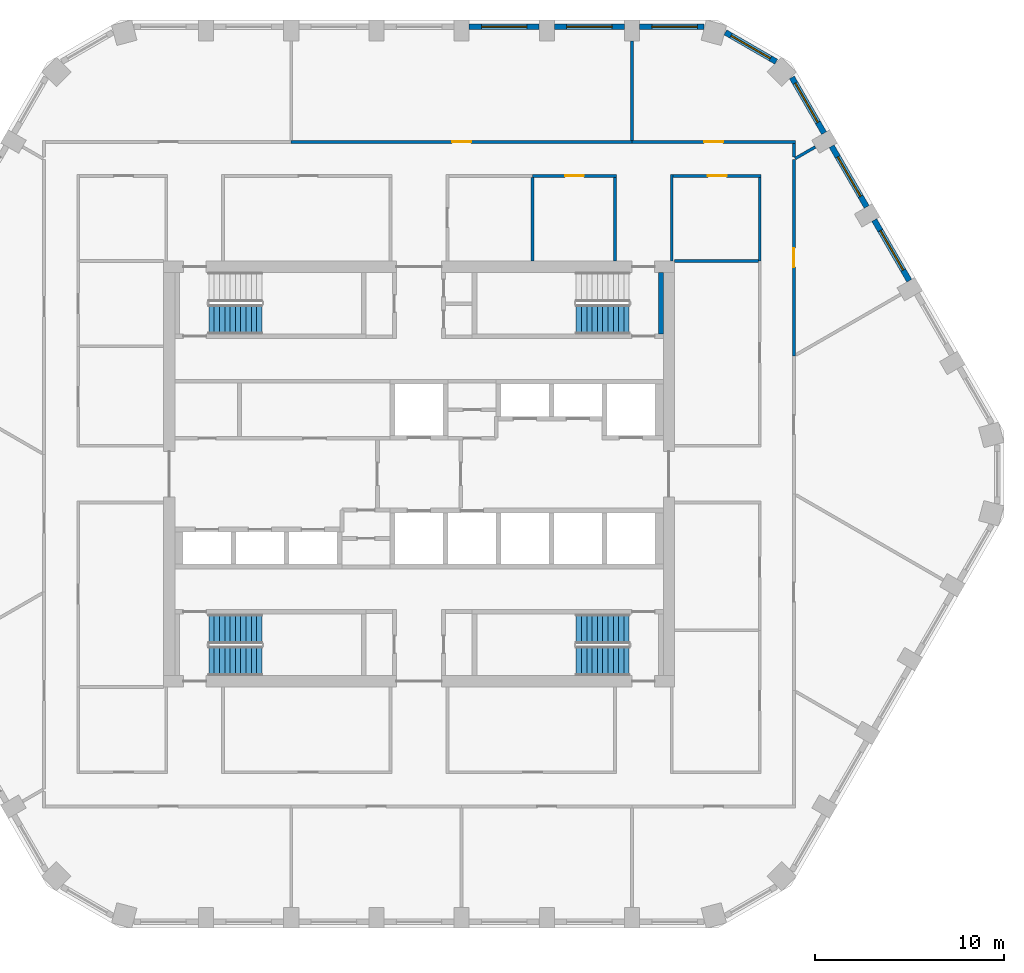
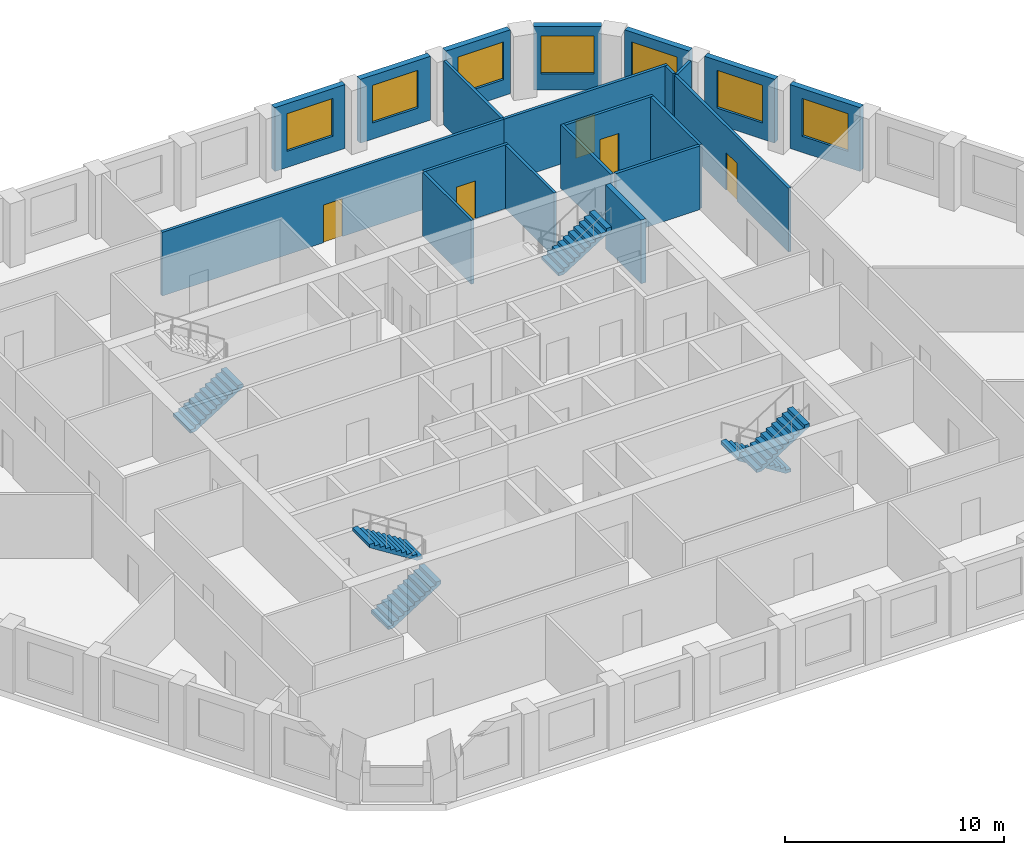
# One storey, part 7 of 9: 21 walls, 7 windows, 6 stair flights, 5 doors, 12 openings, 4 elements without a shape of their own.
"""IFC4 building model written with IfcOpenShell, lengths in metres."""

from ifc_helpers import new_model, si_unit, direction, frame, frame_2d, origin, place, context, subcontext, project, spatial, polyline, rectangle, outline, extrude, material, layer, layer_set, type_object, element, fill, aggregate, save


model = new_model("IFC4")

# Units and contexts
model_context = context("Model", 3, precision=1e-05, world=origin(), true_north=direction((0.0, 1.0)))
body_context = subcontext(model_context, "Body", "Model", "MODEL_VIEW")
ifc_project = project(units=[si_unit("LENGTHUNIT", "METRE"), si_unit("AREAUNIT", "SQUARE_METRE"), si_unit("VOLUMEUNIT", "CUBIC_METRE"), si_unit("PLANEANGLEUNIT", "RADIAN"), si_unit("MASSUNIT", "GRAM", prefix="KILO")], contexts=[model_context])

# Site, building, storey
site_placement = place(None, origin())
site = spatial("IfcSite", under=ifc_project, at=site_placement, CompositionType="ELEMENT")
building_placement = place(site_placement, origin())
building = spatial("IfcBuilding", under=site, at=building_placement, Name="Dhurran Vertical Campus", CompositionType="ELEMENT")
storey_placement = place(building_placement, frame((0.0, 0.0, 195.60009765625)))
storey = spatial("IfcBuildingStorey", under=building, at=storey_placement, Name="L48", CompositionType="ELEMENT", Elevation=195.60009765625)

# Wall, opening, window
ifc_material_1 = material(Name="Precast concrete C50/60", Category="concrete")
ifc_layer_1 = layer(ifc_material_1, 0.300048828125)
ifc_layer_set_1 = layer_set([ifc_layer_1], Name="Precast concrete C50/60")
wall_type_1 = type_object("IfcWallType", Name="Precast spandrel wall 300", PredefinedType="SOLIDWALL", material=ifc_layer_set_1)
wall_1_placement = place(storey_placement, frame((25.893798828125, 10.216064453125, 0.0), z_axis=(0.0, 0.0, 1.0), x_axis=(-0.500029062817, 0.866008623709, 0.0)))
wall_1 = element("IfcWall", 1, at=wall_1_placement, inside=storey, type_object=wall_type_1, Name="EW1 L48.16", PredefinedType="SOLIDWALL", context=body_context, shape_type="SweptSolid", body=[
    extrude(rectangle(XDim=3.698974609375, YDim=0.300048828125, at=frame_2d((1.849609375, 0.0))), origin(), (0.0, 0.0, 1.0), 3.5498046875),
])
opening_1_placement = place(wall_1_placement, frame((0.6494140625, 0.0, 0.89990234375)))
opening_1 = element("IfcOpeningElement", 2, at=opening_1_placement, cuts=wall_1, Name="Opening WT1", PredefinedType="OPENING", context=body_context, shape_type="SweptSolid", body=[
    extrude(rectangle(XDim=2.39990234375, YDim=2.10009765625, at=frame_2d((1.199951171875, 1.050048828125))), frame((0.0, 0.159912109375, 0.0), z_axis=(0.0, -1.0, 0.0), x_axis=(1.0, 0.0, 0.0)), (0.0, 0.0, 1.0), 0.320068359375),
])
ifc_material_2 = material(Name="Aluminium frame with solar-control glass", Category="aluminium")
window_type = type_object("IfcWindowType", Name="Punched window 2400 x 2100", PartitioningType="SINGLE_PANEL", PredefinedType="WINDOW", material=ifc_material_2)
window_1_placement = place(opening_1_placement, origin())
window_1 = element("IfcWindow", 3, at=window_1_placement, inside=storey, type_object=window_type, Name="WT1 L48.16", OverallHeight=2.10009765625, OverallWidth=2.39990234375, PartitioningType="SINGLE_PANEL", PredefinedType="WINDOW", context=body_context, shape_type="SweptSolid", body=[
    extrude(rectangle(XDim=2.39990234375, YDim=2.10009765625, at=frame_2d((1.199951171875, 1.050048828125))), frame((0.0, 0.030029296875, 0.0), z_axis=(0.0, -1.0, 0.0), x_axis=(1.0, 0.0, 0.0)), (0.0, 0.0, 1.0), 0.06005859375),
])
fill(opening_1, window_1)

wall_2_placement = place(storey_placement, frame((23.643798828125, 14.11328125, 0.0), z_axis=(0.0, 0.0, 1.0), x_axis=(-0.500029062817, 0.866008623709, 0.0)))
wall_2 = element("IfcWall", 4, at=wall_2_placement, inside=storey, type_object=wall_type_1, Name="EW1 L48.17", PredefinedType="SOLIDWALL", context=body_context, shape_type="SweptSolid", body=[
    extrude(rectangle(XDim=3.698974609375, YDim=0.300048828125, at=frame_2d((1.849609375, 0.0))), origin(), (0.0, 0.0, 1.0), 3.5498046875),
])
opening_2_placement = place(wall_2_placement, frame((0.6494140625, 0.0, 0.89990234375)))
opening_2 = element("IfcOpeningElement", 5, at=opening_2_placement, cuts=wall_2, Name="Opening WT1", PredefinedType="OPENING", context=body_context, shape_type="SweptSolid", body=[
    extrude(rectangle(XDim=2.39990234375, YDim=2.10009765625, at=frame_2d((1.199951171875, 1.050048828125))), frame((0.0, 0.159912109375, 0.0), z_axis=(0.0, -1.0, 0.0), x_axis=(1.0, 0.0, 0.0)), (0.0, 0.0, 1.0), 0.320068359375),
])
window_2_placement = place(opening_2_placement, origin())
window_2 = element("IfcWindow", 6, at=window_2_placement, inside=storey, type_object=window_type, Name="WT1 L48.17", OverallHeight=2.10009765625, OverallWidth=2.39990234375, PartitioningType="SINGLE_PANEL", PredefinedType="WINDOW", context=body_context, shape_type="SweptSolid", body=[
    extrude(rectangle(XDim=2.39990234375, YDim=2.10009765625, at=frame_2d((1.199951171875, 1.050048828125))), frame((0.0, 0.030029296875, 0.0), z_axis=(0.0, -1.0, 0.0), x_axis=(1.0, 0.0, 0.0)), (0.0, 0.0, 1.0), 0.06005859375),
])
fill(opening_2, window_2)

wall_3_placement = place(storey_placement, frame((21.393798828125, 18.01025390625, 0.0), z_axis=(0.0, 0.0, 1.0), x_axis=(-0.500012868213, 0.866017974191, 0.0)))
wall_3 = element("IfcWall", 7, at=wall_3_placement, inside=storey, type_object=wall_type_1, Name="EW1 L48.18", PredefinedType="SOLIDWALL", context=body_context, shape_type="SweptSolid", body=[
    extrude(rectangle(XDim=3.39599609375, YDim=0.300048828125, at=frame_2d((1.697998046875, 0.0))), origin(), (0.0, 0.0, 1.0), 3.5498046875),
])
opening_3_placement = place(wall_3_placement, frame((0.6494140625, 0.0, 0.89990234375)))
opening_3 = element("IfcOpeningElement", 8, at=opening_3_placement, cuts=wall_3, Name="Opening WT1", PredefinedType="OPENING", context=body_context, shape_type="SweptSolid", body=[
    extrude(rectangle(XDim=2.39990234375, YDim=2.10009765625, at=frame_2d((1.199951171875, 1.050048828125))), frame((0.0, 0.159912109375, 0.0), z_axis=(0.0, -1.0, 0.0), x_axis=(1.0, 0.0, 0.0)), (0.0, 0.0, 1.0), 0.320068359375),
])
window_3_placement = place(opening_3_placement, origin())
window_3 = element("IfcWindow", 9, at=window_3_placement, inside=storey, type_object=window_type, Name="WT1 L48.18", OverallHeight=2.10009765625, OverallWidth=2.39990234375, PartitioningType="SINGLE_PANEL", PredefinedType="WINDOW", context=body_context, shape_type="SweptSolid", body=[
    extrude(rectangle(XDim=2.39990234375, YDim=2.10009765625, at=frame_2d((1.199951171875, 1.050048828125))), frame((0.0, 0.030029296875, 0.0), z_axis=(0.0, -1.0, 0.0), x_axis=(1.0, 0.0, 0.0)), (0.0, 0.0, 1.0), 0.06005859375),
])
fill(opening_3, window_3)

wall_4_placement = place(storey_placement, frame((18.86279296875, 21.7841796875, 0.0), z_axis=(0.0, 0.0, 1.0), x_axis=(-0.865994975416, 0.500052699777, 0.0)))
wall_4 = element("IfcWall", 10, at=wall_4_placement, inside=storey, type_object=wall_type_1, Name="EW1 L48.19", PredefinedType="SOLIDWALL", context=body_context, shape_type="SweptSolid", body=[
    extrude(rectangle(XDim=3.093017578125, YDim=0.300048828125, at=frame_2d((1.54638671875, 0.0))), origin(), (0.0, 0.0, 1.0), 3.5498046875),
])
opening_4_placement = place(wall_4_placement, frame((0.34619140625, 0.0, 0.89990234375)))
opening_4 = element("IfcOpeningElement", 11, at=opening_4_placement, cuts=wall_4, Name="Opening WT1", PredefinedType="OPENING", context=body_context, shape_type="SweptSolid", body=[
    extrude(rectangle(XDim=2.39990234375, YDim=2.10009765625, at=frame_2d((1.199951171875, 1.050048828125))), frame((0.0, 0.159912109375, 0.0), z_axis=(0.0, -1.0, 0.0), x_axis=(1.0, 0.0, 0.0)), (0.0, 0.0, 1.0), 0.320068359375),
])
window_4_placement = place(opening_4_placement, origin())
window_4 = element("IfcWindow", 12, at=window_4_placement, inside=storey, type_object=window_type, Name="WT1 L48.19", OverallHeight=2.10009765625, OverallWidth=2.39990234375, PartitioningType="SINGLE_PANEL", PredefinedType="WINDOW", context=body_context, shape_type="SweptSolid", body=[
    extrude(rectangle(XDim=2.39990234375, YDim=2.10009765625, at=frame_2d((1.199951171875, 1.050048828125))), frame((0.0, 0.030029296875, 0.0), z_axis=(0.0, -1.0, 0.0), x_axis=(1.0, 0.0, 0.0)), (0.0, 0.0, 1.0), 0.06005859375),
])
fill(opening_4, window_4)

wall_5_placement = place(storey_placement, frame((15.04638671875, 23.635498046875, 0.0), z_axis=(0.0, 0.0, 1.0), x_axis=(-1.0, 0.0, 0.0)))
wall_5 = element("IfcWall", 13, at=wall_5_placement, inside=storey, type_object=wall_type_1, Name="EW1 L48.20", PredefinedType="SOLIDWALL", context=body_context, shape_type="SweptSolid", body=[
    extrude(rectangle(XDim=3.39599609375, YDim=0.300048828125, at=frame_2d((1.697998046875, 0.0))), origin(), (0.0, 0.0, 1.0), 3.5498046875),
])
opening_5_placement = place(wall_5_placement, frame((0.34619140625, 0.0, 0.89990234375)))
opening_5 = element("IfcOpeningElement", 14, at=opening_5_placement, cuts=wall_5, Name="Opening WT1", PredefinedType="OPENING", context=body_context, shape_type="SweptSolid", body=[
    extrude(rectangle(XDim=2.39990234375, YDim=2.10009765625, at=frame_2d((1.199951171875, 1.050048828125))), frame((0.0, 0.159912109375, 0.0), z_axis=(0.0, -1.0, 0.0), x_axis=(1.0, 0.0, 0.0)), (0.0, 0.0, 1.0), 0.320068359375),
])
window_5_placement = place(opening_5_placement, origin())
window_5 = element("IfcWindow", 15, at=window_5_placement, inside=storey, type_object=window_type, Name="WT1 L48.20", OverallHeight=2.10009765625, OverallWidth=2.39990234375, PartitioningType="SINGLE_PANEL", PredefinedType="WINDOW", context=body_context, shape_type="SweptSolid", body=[
    extrude(rectangle(XDim=2.39990234375, YDim=2.10009765625, at=frame_2d((1.199951171875, 1.050048828125))), frame((0.0, 0.030029296875, 0.0), z_axis=(0.0, -1.0, 0.0), x_axis=(1.0, 0.0, 0.0)), (0.0, 0.0, 1.0), 0.06005859375),
])
fill(opening_5, window_5)

wall_6_placement = place(storey_placement, frame((10.849609375, 23.635498046875, 0.0), z_axis=(0.0, 0.0, 1.0), x_axis=(-1.0, 0.0, 0.0)))
wall_6 = element("IfcWall", 16, at=wall_6_placement, inside=storey, type_object=wall_type_1, Name="EW1 L48.21", PredefinedType="SOLIDWALL", context=body_context, shape_type="SweptSolid", body=[
    extrude(rectangle(XDim=3.69921875, YDim=0.300048828125, at=frame_2d((1.849609375, 0.0))), origin(), (0.0, 0.0, 1.0), 3.5498046875),
])
opening_6_placement = place(wall_6_placement, frame((0.6494140625, 0.0, 0.89990234375)))
opening_6 = element("IfcOpeningElement", 17, at=opening_6_placement, cuts=wall_6, Name="Opening WT1", PredefinedType="OPENING", context=body_context, shape_type="SweptSolid", body=[
    extrude(rectangle(XDim=2.39990234375, YDim=2.10009765625, at=frame_2d((1.199951171875, 1.050048828125))), frame((0.0, 0.159912109375, 0.0), z_axis=(0.0, -1.0, 0.0), x_axis=(1.0, 0.0, 0.0)), (0.0, 0.0, 1.0), 0.320068359375),
])
window_6_placement = place(opening_6_placement, origin())
window_6 = element("IfcWindow", 18, at=window_6_placement, inside=storey, type_object=window_type, Name="WT1 L48.21", OverallHeight=2.10009765625, OverallWidth=2.39990234375, PartitioningType="SINGLE_PANEL", PredefinedType="WINDOW", context=body_context, shape_type="SweptSolid", body=[
    extrude(rectangle(XDim=2.39990234375, YDim=2.10009765625, at=frame_2d((1.199951171875, 1.050048828125))), frame((0.0, 0.030029296875, 0.0), z_axis=(0.0, -1.0, 0.0), x_axis=(1.0, 0.0, 0.0)), (0.0, 0.0, 1.0), 0.06005859375),
])
fill(opening_6, window_6)

wall_7_placement = place(storey_placement, frame((6.349609375, 23.635498046875, 0.0), z_axis=(0.0, 0.0, 1.0), x_axis=(-1.0, 0.0, 0.0)))
wall_7 = element("IfcWall", 19, at=wall_7_placement, inside=storey, type_object=wall_type_1, Name="EW1 L48.22", PredefinedType="SOLIDWALL", context=body_context, shape_type="SweptSolid", body=[
    extrude(rectangle(XDim=3.69921875, YDim=0.300048828125, at=frame_2d((1.849609375, 0.0))), origin(), (0.0, 0.0, 1.0), 3.5498046875),
])
opening_7_placement = place(wall_7_placement, frame((0.6494140625, 0.0, 0.89990234375)))
opening_7 = element("IfcOpeningElement", 20, at=opening_7_placement, cuts=wall_7, Name="Opening WT1", PredefinedType="OPENING", context=body_context, shape_type="SweptSolid", body=[
    extrude(rectangle(XDim=2.39990234375, YDim=2.10009765625, at=frame_2d((1.199951171875, 1.050048828125))), frame((0.0, 0.159912109375, 0.0), z_axis=(0.0, -1.0, 0.0), x_axis=(1.0, 0.0, 0.0)), (0.0, 0.0, 1.0), 0.320068359375),
])
window_7_placement = place(opening_7_placement, origin())
window_7 = element("IfcWindow", 21, at=window_7_placement, inside=storey, type_object=window_type, Name="WT1 L48.22", OverallHeight=2.10009765625, OverallWidth=2.39990234375, PartitioningType="SINGLE_PANEL", PredefinedType="WINDOW", context=body_context, shape_type="SweptSolid", body=[
    extrude(rectangle(XDim=2.39990234375, YDim=2.10009765625, at=frame_2d((1.199951171875, 1.050048828125))), frame((0.0, 0.030029296875, 0.0), z_axis=(0.0, -1.0, 0.0), x_axis=(1.0, 0.0, 0.0)), (0.0, 0.0, 1.0), 0.06005859375),
])
fill(opening_7, window_7)

# Wall
ifc_material_3 = material(Name="Concrete C40/50", Category="concrete")
ifc_layer_2 = layer(ifc_material_3, 0.25)
ifc_layer_set_2 = layer_set([ifc_layer_2], Name="Concrete C40/50")
wall_type_2 = type_object("IfcWallType", Name="co-STAIR-WALL-250", PredefinedType="SHEAR", material=ifc_layer_set_2)
wall_8_placement = place(storey_placement, frame((12.77490234375, 7.39990234375, 0.0), z_axis=(0.0, 0.0, 1.0), x_axis=(0.0, 1.0, 0.0)))
element("IfcWall", 22, at=wall_8_placement, inside=storey, type_object=wall_type_2, Name="Stair ST2 enclosure wall L48", PredefinedType="SHEAR", context=body_context, shape_type="SweptSolid", body=[
    extrude(rectangle(XDim=3.25, YDim=0.25, at=frame_2d((1.625, 0.0))), origin(), (0.0, 0.0, 1.0), 3.5498046875),
])

# Wall, opening, door
ifc_material_4 = material(Name="Gypsum board corridor wall on steel studs", Category="steel")
ifc_layer_3 = layer(ifc_material_4, 0.14990234375)
ifc_layer_set_3 = layer_set([ifc_layer_3], Name="Gypsum board corridor wall on steel studs")
wall_type_3 = type_object("IfcWallType", Name="fl-CW-150 corridor wall", PredefinedType="PARTITIONING", material=ifc_layer_set_3)
wall_9_placement = place(storey_placement, frame((11.25, 17.550048828125, 0.0), z_axis=(0.0, 0.0, 1.0), x_axis=(-1.0, 0.0, 0.0)))
wall_9 = element("IfcWall", 23, at=wall_9_placement, inside=storey, type_object=wall_type_3, Name="Partition 48-33", PredefinedType="PARTITIONING", context=body_context, shape_type="SweptSolid", body=[
    extrude(rectangle(XDim=18.0, YDim=0.14990234375, at=frame_2d((9.0, 0.0))), origin(), (0.0, 0.0, 1.0), 3.5498046875),
])
opening_8_placement = place(wall_9_placement, frame((8.5, 0.0, 0.0)))
opening_8 = element("IfcOpeningElement", 24, at=opening_8_placement, cuts=wall_9, Name="Opening T14.14", PredefinedType="OPENING", context=body_context, shape_type="SweptSolid", body=[
    extrude(rectangle(XDim=1.0, YDim=2.10009765625, at=frame_2d((0.5, 1.050048828125))), frame((0.0, 0.0849609375, 0.0), z_axis=(0.0, -1.0, 0.0), x_axis=(1.0, 0.0, 0.0)), (0.0, 0.0, 1.0), 0.169921875),
])
ifc_material_5 = material(Name="Solid-core timber door set, fire-rated", Category="wood")
door_type = type_object("IfcDoorType", Name="fl-D-1000x2100", OperationType="SINGLE_SWING_LEFT", PredefinedType="DOOR", material=ifc_material_5)
door_1_placement = place(opening_8_placement, origin())
door_1 = element("IfcDoor", 25, at=door_1_placement, inside=storey, type_object=door_type, Name="Door 48.14", OperationType="SINGLE_SWING_RIGHT", OverallHeight=2.10009765625, OverallWidth=1.0, PredefinedType="DOOR", context=body_context, shape_type="SweptSolid", body=[
    extrude(rectangle(XDim=1.0, YDim=2.10009765625, at=frame_2d((0.5, 1.050048828125))), frame((0.0, 0.02490234375, 0.0), z_axis=(0.0, -1.0, 0.0), x_axis=(1.0, 0.0, 0.0)), (0.0, 0.0, 1.0), 0.050048828125),
])
fill(opening_8, door_1)

wall_10_placement = place(storey_placement, frame((6.0, 15.75, 0.0), z_axis=(0.0, 0.0, 1.0), x_axis=(1.0, 0.0, 0.0)))
wall_10 = element("IfcWall", 26, at=wall_10_placement, inside=storey, type_object=wall_type_3, Name="Partition 48-43", PredefinedType="PARTITIONING", context=body_context, shape_type="SweptSolid", body=[
    extrude(rectangle(XDim=4.425048828125, YDim=0.14990234375, at=frame_2d((2.21240234375, 0.0))), origin(), (0.0, 0.0, 1.0), 3.5498046875),
])
opening_9_placement = place(wall_10_placement, frame((1.71240234375, 0.0, 0.0)))
opening_9 = element("IfcOpeningElement", 27, at=opening_9_placement, cuts=wall_10, Name="Opening T14.18", PredefinedType="OPENING", context=body_context, shape_type="SweptSolid", body=[
    extrude(rectangle(XDim=1.0, YDim=2.10009765625, at=frame_2d((0.5, 1.050048828125))), frame((0.0, 0.0849609375, 0.0), z_axis=(0.0, -1.0, 0.0), x_axis=(1.0, 0.0, 0.0)), (0.0, 0.0, 1.0), 0.169921875),
])
door_2_placement = place(opening_9_placement, origin())
door_2 = element("IfcDoor", 28, at=door_2_placement, inside=storey, type_object=door_type, Name="Door 48.18", OperationType="SINGLE_SWING_LEFT", OverallHeight=2.10009765625, OverallWidth=1.0, PredefinedType="DOOR", context=body_context, shape_type="SweptSolid", body=[
    extrude(rectangle(XDim=1.0, YDim=2.10009765625, at=frame_2d((0.5, 1.050048828125))), frame((0.0, 0.02490234375, 0.0), z_axis=(0.0, -1.0, 0.0), x_axis=(1.0, 0.0, 0.0)), (0.0, 0.0, 1.0), 0.050048828125),
])
fill(opening_9, door_2)

# Wall
wall_11_placement = place(storey_placement, frame((10.35009765625, 15.675048828125, 0.0), z_axis=(0.0, 0.0, 1.0), x_axis=(0.0, -1.0, 0.0)))
element("IfcWall", 29, at=wall_11_placement, inside=storey, type_object=wall_type_3, Name="Partition 48-45", PredefinedType="PARTITIONING", context=body_context, shape_type="SweptSolid", body=[
    extrude(rectangle(XDim=4.425048828125, YDim=0.14990234375, at=frame_2d((2.21240234375, 0.0))), origin(), (0.0, 0.0, 1.0), 3.5498046875),
])

# Wall, opening, door
wall_12_placement = place(storey_placement, frame((19.875, 17.550048828125, 0.0), z_axis=(0.0, 0.0, 1.0), x_axis=(-1.0, 0.0, 0.0)))
wall_12 = element("IfcWall", 30, at=wall_12_placement, inside=storey, type_object=wall_type_3, Name="Partition 48-49", PredefinedType="PARTITIONING", context=body_context, shape_type="SweptSolid", body=[
    extrude(rectangle(XDim=8.625, YDim=0.14990234375, at=frame_2d((4.3125, 0.0))), origin(), (0.0, 0.0, 1.0), 3.5498046875),
])
opening_10_placement = place(wall_12_placement, frame((3.8125, 0.0, 0.0)))
opening_10 = element("IfcOpeningElement", 31, at=opening_10_placement, cuts=wall_12, Name="Opening T14.19", PredefinedType="OPENING", context=body_context, shape_type="SweptSolid", body=[
    extrude(rectangle(XDim=1.0, YDim=2.10009765625, at=frame_2d((0.5, 1.050048828125))), frame((0.0, 0.0849609375, 0.0), z_axis=(0.0, -1.0, 0.0), x_axis=(1.0, 0.0, 0.0)), (0.0, 0.0, 1.0), 0.169921875),
])
door_3_placement = place(opening_10_placement, origin())
door_3 = element("IfcDoor", 32, at=door_3_placement, inside=storey, type_object=door_type, Name="Door 48.19", OperationType="SINGLE_SWING_RIGHT", OverallHeight=2.10009765625, OverallWidth=1.0, PredefinedType="DOOR", context=body_context, shape_type="SweptSolid", body=[
    extrude(rectangle(XDim=1.0, YDim=2.10009765625, at=frame_2d((0.5, 1.050048828125))), frame((0.0, 0.02490234375, 0.0), z_axis=(0.0, -1.0, 0.0), x_axis=(1.0, 0.0, 0.0)), (0.0, 0.0, 1.0), 0.050048828125),
])
fill(opening_10, door_3)

# Wall
wall_13_placement = place(storey_placement, frame((13.35009765625, 11.25, 0.0), z_axis=(0.0, 0.0, 1.0), x_axis=(0.0, 1.0, 0.0)))
element("IfcWall", 33, at=wall_13_placement, inside=storey, type_object=wall_type_3, Name="Partition 48-52", PredefinedType="PARTITIONING", context=body_context, shape_type="SweptSolid", body=[
    extrude(rectangle(XDim=4.574951171875, YDim=0.14990234375, at=frame_2d((2.28759765625, 0.0))), origin(), (0.0, 0.0, 1.0), 3.5498046875),
])

# Wall, opening, door
wall_14_placement = place(storey_placement, frame((13.425048828125, 15.75, 0.0), z_axis=(0.0, 0.0, 1.0), x_axis=(1.0, 0.0, 0.0)))
wall_14 = element("IfcWall", 34, at=wall_14_placement, inside=storey, type_object=wall_type_3, Name="Partition 48-53", PredefinedType="PARTITIONING", context=body_context, shape_type="SweptSolid", body=[
    extrude(rectangle(XDim=4.64990234375, YDim=0.14990234375, at=frame_2d((2.324951171875, 0.0))), origin(), (0.0, 0.0, 1.0), 3.5498046875),
])
opening_11_placement = place(wall_14_placement, frame((1.824951171875, 0.0, 0.0)))
opening_11 = element("IfcOpeningElement", 35, at=opening_11_placement, cuts=wall_14, Name="Opening T14.20", PredefinedType="OPENING", context=body_context, shape_type="SweptSolid", body=[
    extrude(rectangle(XDim=1.0, YDim=2.10009765625, at=frame_2d((0.5, 1.050048828125))), frame((0.0, 0.0849609375, 0.0), z_axis=(0.0, -1.0, 0.0), x_axis=(1.0, 0.0, 0.0)), (0.0, 0.0, 1.0), 0.169921875),
])
door_4_placement = place(opening_11_placement, origin())
door_4 = element("IfcDoor", 36, at=door_4_placement, inside=storey, type_object=door_type, Name="Door 48.20", OperationType="SINGLE_SWING_LEFT", OverallHeight=2.10009765625, OverallWidth=1.0, PredefinedType="DOOR", context=body_context, shape_type="SweptSolid", body=[
    extrude(rectangle(XDim=1.0, YDim=2.10009765625, at=frame_2d((0.5, 1.050048828125))), frame((0.0, 0.02490234375, 0.0), z_axis=(0.0, -1.0, 0.0), x_axis=(1.0, 0.0, 0.0)), (0.0, 0.0, 1.0), 0.050048828125),
])
fill(opening_11, door_4)

# Wall
wall_15_placement = place(storey_placement, frame((18.0, 15.675048828125, 0.0), z_axis=(0.0, 0.0, 1.0), x_axis=(0.0, -1.0, 0.0)))
element("IfcWall", 37, at=wall_15_placement, inside=storey, type_object=wall_type_3, Name="Partition 48-61", PredefinedType="PARTITIONING", context=body_context, shape_type="SweptSolid", body=[
    extrude(rectangle(XDim=4.425048828125, YDim=0.14990234375, at=frame_2d((2.21240234375, 0.0))), origin(), (0.0, 0.0, 1.0), 3.5498046875),
])

# Wall, opening, door
wall_16_placement = place(storey_placement, frame((19.800048828125, 6.235107421875, 0.0), z_axis=(0.0, 0.0, 1.0), x_axis=(0.0, 1.0, 0.0)))
wall_16 = element("IfcWall", 38, at=wall_16_placement, inside=storey, type_object=wall_type_3, Name="Partition 48-67", PredefinedType="PARTITIONING", context=body_context, shape_type="SweptSolid", body=[
    extrude(rectangle(XDim=10.392822265625, YDim=0.14990234375, at=frame_2d((5.1962890625, 0.0))), origin(), (0.0, 0.0, 1.0), 3.5498046875),
])
opening_12_placement = place(wall_16_placement, frame((4.696533203125, 0.0, 0.0)))
opening_12 = element("IfcOpeningElement", 39, at=opening_12_placement, cuts=wall_16, Name="Opening T14.25", PredefinedType="OPENING", context=body_context, shape_type="SweptSolid", body=[
    extrude(rectangle(XDim=1.0, YDim=2.10009765625, at=frame_2d((0.5, 1.050048828125))), frame((0.0, 0.0849609375, 0.0), z_axis=(0.0, -1.0, 0.0), x_axis=(1.0, 0.0, 0.0)), (0.0, 0.0, 1.0), 0.169921875),
])
door_5_placement = place(opening_12_placement, origin())
door_5 = element("IfcDoor", 40, at=door_5_placement, inside=storey, type_object=door_type, Name="Door 48.25", OperationType="SINGLE_SWING_LEFT", OverallHeight=2.10009765625, OverallWidth=1.0, PredefinedType="DOOR", context=body_context, shape_type="SweptSolid", body=[
    extrude(rectangle(XDim=1.0, YDim=2.10009765625, at=frame_2d((0.5, 1.050048828125))), frame((0.0, 0.02490234375, 0.0), z_axis=(0.0, -1.0, 0.0), x_axis=(1.0, 0.0, 0.0)), (0.0, 0.0, 1.0), 0.050048828125),
])
fill(opening_12, door_5)

# Walls
wall_17_placement = place(storey_placement, frame((19.800048828125, 16.758056640625, 0.0), z_axis=(0.0, 0.0, 1.0), x_axis=(0.0, 1.0, 0.0)))
element("IfcWall", 41, at=wall_17_placement, inside=storey, type_object=wall_type_3, Name="Partition 48-69", PredefinedType="PARTITIONING", context=body_context, shape_type="SweptSolid", body=[
    extrude(rectangle(XDim=0.717041015625, YDim=0.14990234375, at=frame_2d((0.3583984375, 0.0))), origin(), (0.0, 0.0, 1.0), 3.5498046875),
])
ifc_material_6 = material(Name="Gypsum board partition on steel studs", Category="steel")
ifc_layer_4 = layer(ifc_material_6, 0.14990234375)
ifc_layer_set_4 = layer_set([ifc_layer_4], Name="Gypsum board partition on steel studs")
wall_type_4 = type_object("IfcWallType", Name="fl-PW-150 fixed partition", PredefinedType="PARTITIONING", material=ifc_layer_set_4)
wall_18_placement = place(storey_placement, frame((6.0, 15.675048828125, 0.0), z_axis=(0.0, 0.0, 1.0), x_axis=(0.0, -1.0, 0.0)))
element("IfcWall", 42, at=wall_18_placement, inside=storey, type_object=wall_type_4, Name="Partition 48-42", PredefinedType="PARTITIONING", context=body_context, shape_type="SweptSolid", body=[
    extrude(rectangle(XDim=4.425048828125, YDim=0.14990234375, at=frame_2d((2.21240234375, 0.0))), origin(), (0.0, 0.0, 1.0), 3.5498046875),
])
wall_19_placement = place(storey_placement, frame((11.25, 22.865478515625, 0.0), z_axis=(0.0, 0.0, 1.0), x_axis=(0.0, -1.0, 0.0)))
element("IfcWall", 43, at=wall_19_placement, inside=storey, type_object=wall_type_4, Name="Partition 48-48", PredefinedType="PARTITIONING", context=body_context, shape_type="SweptSolid", body=[
    extrude(rectangle(XDim=5.240478515625, YDim=0.14990234375, at=frame_2d((2.6201171875, 0.0))), origin(), (0.0, 0.0, 1.0), 3.5498046875),
])
wall_20_placement = place(storey_placement, frame((17.925048828125, 11.25, 0.0), z_axis=(0.0, 0.0, 1.0), x_axis=(-1.0, 0.0, 0.0)))
element("IfcWall", 44, at=wall_20_placement, inside=storey, type_object=wall_type_4, Name="Partition 48-57", PredefinedType="PARTITIONING", context=body_context, shape_type="SweptSolid", body=[
    extrude(rectangle(XDim=4.425048828125, YDim=0.14990234375, at=frame_2d((2.21240234375, 0.0))), origin(), (0.0, 0.0, 1.0), 3.5498046875),
])
wall_21_placement = place(storey_placement, frame((20.92724609375, 17.2783203125, 0.0), z_axis=(0.0, 0.0, 1.0), x_axis=(-0.866202157257, -0.499693728962, 0.0)))
element("IfcWall", 45, at=wall_21_placement, inside=storey, type_object=wall_type_4, Name="Partition 48-70", PredefinedType="PARTITIONING", context=body_context, shape_type="SweptSolid", body=[
    extrude(rectangle(XDim=1.226318359375, YDim=0.14990234375, at=frame_2d((0.61328125, 0.0))), origin(), (0.0, 0.0, 1.0), 3.5498046875),
])

# Stair, stair flight
ifc_material_7 = material(Name="Concrete C40/50", Category="concrete")
stair_type = type_object("IfcStairType", Name="co-ST-CORE", PredefinedType="HALF_TURN_STAIR", material=ifc_material_7)
stair_1_placement = place(storey_placement, origin())
stair_1 = element("IfcStair", 46, at=stair_1_placement, inside=storey, type_object=stair_type, Name="L48 Protected exit stair ST1", PredefinedType="HALF_TURN_STAIR")
ifc_material_8 = material(Name="Concrete C40/50", Category="concrete")
stair_flight_type = type_object("IfcStairFlightType", Name="co-SFL-RC", PredefinedType="STRAIGHT", material=ifc_material_8)
stair_flight_1_placement = place(storey_placement, frame((-11.10009765625, 8.175048828125, 0.0), z_axis=(0.0, 0.0, 1.0), x_axis=(1.0, 0.0, 0.0)))
stair_flight_1 = element("IfcStairFlight", 47, at=stair_flight_1_placement, type_object=stair_flight_type, Name="ST1 flight 1", NumberOfRisers=11, NumberOfTreads=10, PredefinedType="STRAIGHT", RiserHeight=0.177272727, TreadLength=0.28, context=body_context, shape_type="SweptSolid", body=[
    extrude(outline(polyline([(0.0, 0.0), (0.0, 0.17724609375), (0.280029296875, 0.17724609375), (0.280029296875, 0.3544921875), (0.56005859375, 0.3544921875), (0.56005859375, 0.53173828125), (0.840087890625, 0.53173828125), (0.840087890625, 0.708984375), (1.1201171875, 0.708984375), (1.1201171875, 0.886474609375), (1.39990234375, 0.886474609375), (1.39990234375, 1.063720703125), (1.679931640625, 1.063720703125), (1.679931640625, 1.240966796875), (1.9599609375, 1.240966796875), (1.9599609375, 1.418212890625), (2.239990234375, 1.418212890625), (2.239990234375, 1.595458984375), (2.52001953125, 1.595458984375), (2.52001953125, 1.772705078125), (2.800048828125, 1.772705078125), (2.800048828125, 1.949951171875), (2.800048828125, 1.59521484375), (0.2802734375, 0.0), (0.0, 0.0)])), frame((0.0, 0.77490234375, 0.0), z_axis=(0.0, -1.0, 0.0), x_axis=(1.0, 0.0, 0.0)), (0.0, 0.0, 1.0), 1.550048828125),
])
aggregate(stair_1, [stair_flight_1])

stair_2_placement = place(storey_placement, origin())
stair_2 = element("IfcStair", 48, at=stair_2_placement, inside=storey, type_object=stair_type, Name="L48 Protected exit stair ST2", PredefinedType="HALF_TURN_STAIR")
stair_flight_2_placement = place(storey_placement, frame((8.300048828125, 8.175048828125, 1.949951171875), z_axis=(0.0, 0.0, 1.0), x_axis=(1.0, 0.0, 0.0)))
stair_flight_2 = element("IfcStairFlight", 49, at=stair_flight_2_placement, type_object=stair_flight_type, Name="ST2 flight 2", NumberOfRisers=11, NumberOfTreads=10, PredefinedType="STRAIGHT", RiserHeight=0.177272727, TreadLength=0.28, context=body_context, shape_type="SweptSolid", body=[
    extrude(outline(polyline([(0.0, 0.0), (0.0, 0.17724609375), (0.280029296875, 0.17724609375), (0.280029296875, 0.3544921875), (0.56005859375, 0.3544921875), (0.56005859375, 0.53173828125), (0.840087890625, 0.53173828125), (0.840087890625, 0.708984375), (1.1201171875, 0.708984375), (1.1201171875, 0.886474609375), (1.39990234375, 0.886474609375), (1.39990234375, 1.063720703125), (1.679931640625, 1.063720703125), (1.679931640625, 1.240966796875), (1.9599609375, 1.240966796875), (1.9599609375, 1.418212890625), (2.239990234375, 1.418212890625), (2.239990234375, 1.595458984375), (2.52001953125, 1.595458984375), (2.52001953125, 1.772705078125), (2.800048828125, 1.772705078125), (2.800048828125, 1.949951171875), (2.800048828125, 1.59521484375), (0.2802734375, 0.0), (0.0, 0.0)])), frame((0.0, 0.77490234375, 0.0), z_axis=(0.0, -1.0, 0.0), x_axis=(1.0, 0.0, 0.0)), (0.0, 0.0, 1.0), 1.550048828125),
])
aggregate(stair_2, [stair_flight_2])

# Stair, stair flights
stair_3_placement = place(storey_placement, origin())
stair_3 = element("IfcStair", 50, at=stair_3_placement, inside=storey, type_object=stair_type, Name="L48 Protected exit stair ST3", PredefinedType="HALF_TURN_STAIR")
stair_flight_3_placement = place(storey_placement, frame((-11.10009765625, -9.875, 0.0), z_axis=(0.0, 0.0, 1.0), x_axis=(1.0, 0.0, 0.0)))
stair_flight_3 = element("IfcStairFlight", 51, at=stair_flight_3_placement, type_object=stair_flight_type, Name="ST3 flight 1", NumberOfRisers=11, NumberOfTreads=10, PredefinedType="STRAIGHT", RiserHeight=0.177272727, TreadLength=0.28, context=body_context, shape_type="SweptSolid", body=[
    extrude(outline(polyline([(0.0, 0.0), (0.0, 0.17724609375), (0.280029296875, 0.17724609375), (0.280029296875, 0.3544921875), (0.56005859375, 0.3544921875), (0.56005859375, 0.53173828125), (0.840087890625, 0.53173828125), (0.840087890625, 0.708984375), (1.1201171875, 0.708984375), (1.1201171875, 0.886474609375), (1.39990234375, 0.886474609375), (1.39990234375, 1.063720703125), (1.679931640625, 1.063720703125), (1.679931640625, 1.240966796875), (1.9599609375, 1.240966796875), (1.9599609375, 1.418212890625), (2.239990234375, 1.418212890625), (2.239990234375, 1.595458984375), (2.52001953125, 1.595458984375), (2.52001953125, 1.772705078125), (2.800048828125, 1.772705078125), (2.800048828125, 1.949951171875), (2.800048828125, 1.59521484375), (0.2802734375, 0.0), (0.0, 0.0)])), frame((0.0, 0.77490234375, 0.0), z_axis=(0.0, -1.0, 0.0), x_axis=(1.0, 0.0, 0.0)), (0.0, 0.0, 1.0), 1.550048828125),
])
stair_flight_4_placement = place(storey_placement, frame((-8.300048828125, -8.175048828125, 1.949951171875), z_axis=(0.0, 0.0, 1.0), x_axis=(-1.0, 0.0, 0.0)))
stair_flight_4 = element("IfcStairFlight", 52, at=stair_flight_4_placement, type_object=stair_flight_type, Name="ST3 flight 2", NumberOfRisers=11, NumberOfTreads=10, PredefinedType="STRAIGHT", RiserHeight=0.177272727, TreadLength=0.28, context=body_context, shape_type="SweptSolid", body=[
    extrude(outline(polyline([(0.0, 0.0), (0.0, 0.17724609375), (0.280029296875, 0.17724609375), (0.280029296875, 0.3544921875), (0.56005859375, 0.3544921875), (0.56005859375, 0.53173828125), (0.840087890625, 0.53173828125), (0.840087890625, 0.708984375), (1.1201171875, 0.708984375), (1.1201171875, 0.886474609375), (1.39990234375, 0.886474609375), (1.39990234375, 1.063720703125), (1.679931640625, 1.063720703125), (1.679931640625, 1.240966796875), (1.9599609375, 1.240966796875), (1.9599609375, 1.418212890625), (2.239990234375, 1.418212890625), (2.239990234375, 1.595458984375), (2.52001953125, 1.595458984375), (2.52001953125, 1.772705078125), (2.800048828125, 1.772705078125), (2.800048828125, 1.949951171875), (2.800048828125, 1.59521484375), (0.2802734375, 0.0), (0.0, 0.0)])), frame((0.0, 0.77490234375, 0.0), z_axis=(0.0, -1.0, 0.0), x_axis=(1.0, 0.0, 0.0)), (0.0, 0.0, 1.0), 1.550048828125),
])
aggregate(stair_3, [stair_flight_3, stair_flight_4])

stair_4_placement = place(storey_placement, origin())
stair_4 = element("IfcStair", 53, at=stair_4_placement, inside=storey, type_object=stair_type, Name="L48 Protected exit stair ST4", PredefinedType="HALF_TURN_STAIR")
stair_flight_5_placement = place(storey_placement, frame((11.10009765625, -8.175048828125, 0.0), z_axis=(0.0, 0.0, 1.0), x_axis=(-1.0, 0.0, 0.0)))
stair_flight_5 = element("IfcStairFlight", 54, at=stair_flight_5_placement, type_object=stair_flight_type, Name="ST4 flight 1", NumberOfRisers=11, NumberOfTreads=10, PredefinedType="STRAIGHT", RiserHeight=0.177272727, TreadLength=0.28, context=body_context, shape_type="SweptSolid", body=[
    extrude(outline(polyline([(0.0, 0.0), (0.0, 0.17724609375), (0.280029296875, 0.17724609375), (0.280029296875, 0.3544921875), (0.56005859375, 0.3544921875), (0.56005859375, 0.53173828125), (0.840087890625, 0.53173828125), (0.840087890625, 0.708984375), (1.1201171875, 0.708984375), (1.1201171875, 0.886474609375), (1.39990234375, 0.886474609375), (1.39990234375, 1.063720703125), (1.679931640625, 1.063720703125), (1.679931640625, 1.240966796875), (1.9599609375, 1.240966796875), (1.9599609375, 1.418212890625), (2.239990234375, 1.418212890625), (2.239990234375, 1.595458984375), (2.52001953125, 1.595458984375), (2.52001953125, 1.772705078125), (2.800048828125, 1.772705078125), (2.800048828125, 1.949951171875), (2.800048828125, 1.59521484375), (0.2802734375, 0.0), (0.0, 0.0)])), frame((0.0, 0.77490234375, 0.0), z_axis=(0.0, -1.0, 0.0), x_axis=(1.0, 0.0, 0.0)), (0.0, 0.0, 1.0), 1.550048828125),
])
stair_flight_6_placement = place(storey_placement, frame((8.300048828125, -9.875, 1.949951171875), z_axis=(0.0, 0.0, 1.0), x_axis=(1.0, 0.0, 0.0)))
stair_flight_6 = element("IfcStairFlight", 55, at=stair_flight_6_placement, type_object=stair_flight_type, Name="ST4 flight 2", NumberOfRisers=11, NumberOfTreads=10, PredefinedType="STRAIGHT", RiserHeight=0.177272727, TreadLength=0.28, context=body_context, shape_type="SweptSolid", body=[
    extrude(outline(polyline([(0.0, 0.0), (0.0, 0.17724609375), (0.280029296875, 0.17724609375), (0.280029296875, 0.3544921875), (0.56005859375, 0.3544921875), (0.56005859375, 0.53173828125), (0.840087890625, 0.53173828125), (0.840087890625, 0.708984375), (1.1201171875, 0.708984375), (1.1201171875, 0.886474609375), (1.39990234375, 0.886474609375), (1.39990234375, 1.063720703125), (1.679931640625, 1.063720703125), (1.679931640625, 1.240966796875), (1.9599609375, 1.240966796875), (1.9599609375, 1.418212890625), (2.239990234375, 1.418212890625), (2.239990234375, 1.595458984375), (2.52001953125, 1.595458984375), (2.52001953125, 1.772705078125), (2.800048828125, 1.772705078125), (2.800048828125, 1.949951171875), (2.800048828125, 1.59521484375), (0.2802734375, 0.0), (0.0, 0.0)])), frame((0.0, 0.77490234375, 0.0), z_axis=(0.0, -1.0, 0.0), x_axis=(1.0, 0.0, 0.0)), (0.0, 0.0, 1.0), 1.550048828125),
])
aggregate(stair_4, [stair_flight_5, stair_flight_6])

save(model, "model.ifc")
